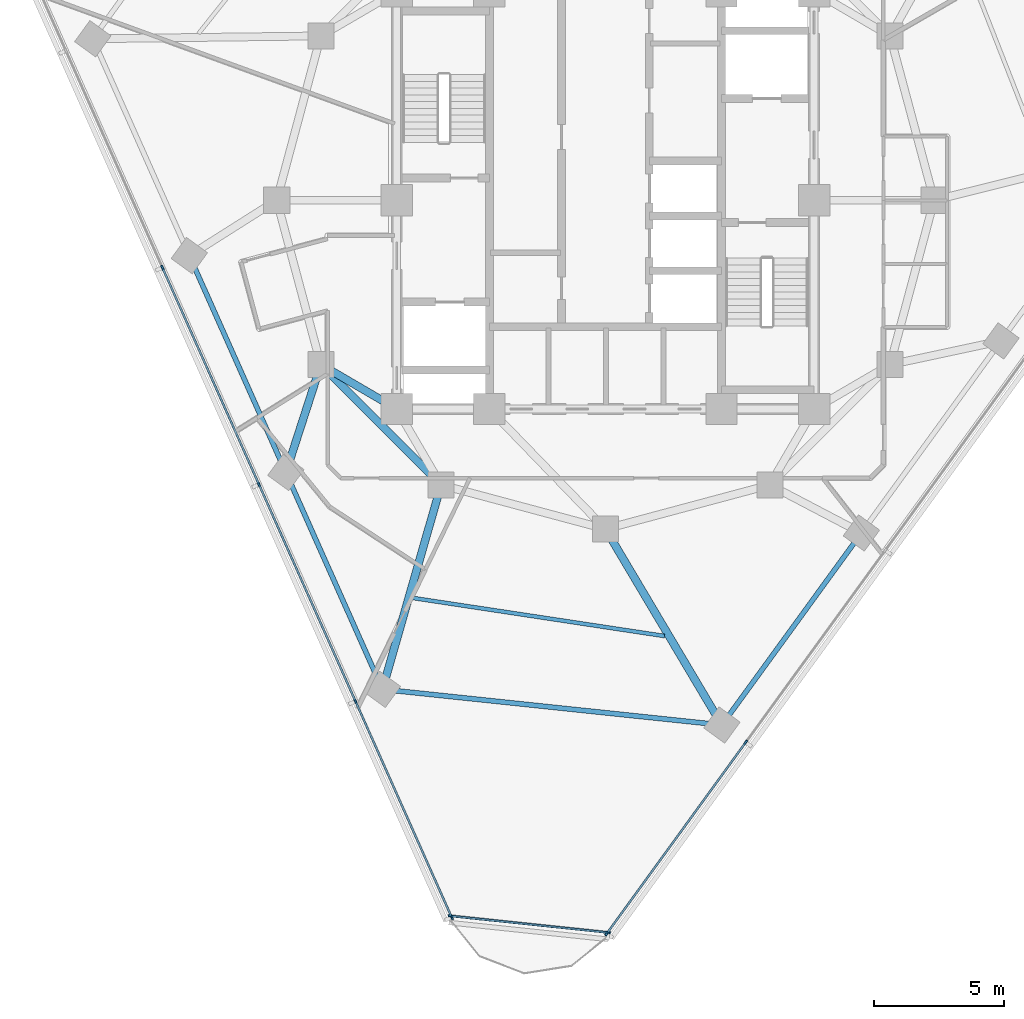
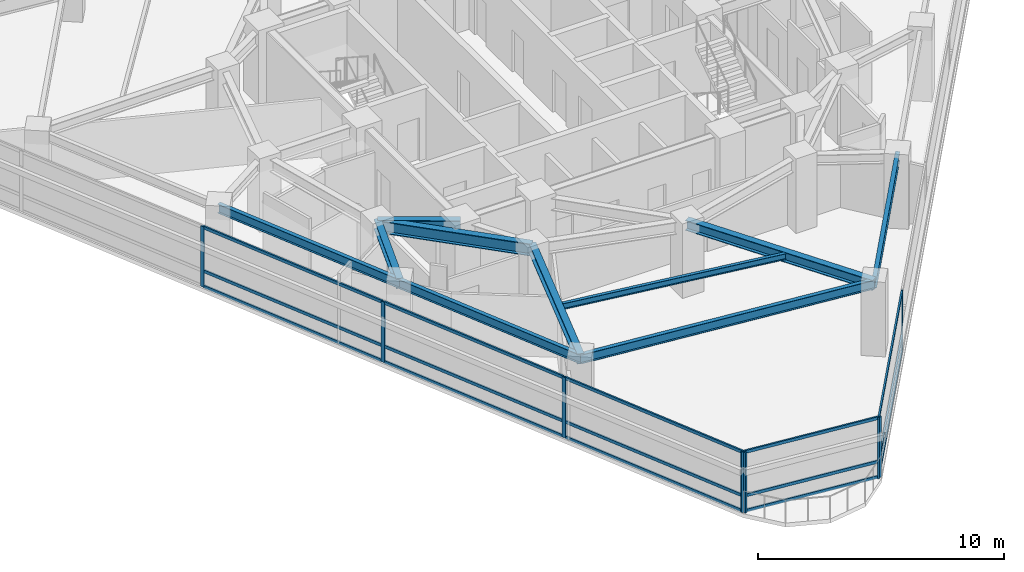
# One storey, part 2 of 14: 23 members, 10 beams, 3 elements without a shape of their own.
"""IFC4 building model written with IfcOpenShell, lengths in metres."""

from ifc_helpers import new_model, si_unit, direction, frame, origin, origin_2d, place, context, subcontext, project, spatial, rectangle, i_section, extrude, material, layer, layer_set, material_profile, profile_set, type_object, element, aggregate, save


model = new_model("IFC4")

# Units and contexts
model_context = context("Model", 3, precision=1e-05, world=origin(), true_north=direction((0.0, 1.0)))
body_context = subcontext(model_context, "Body", "Model", "MODEL_VIEW")
ifc_project = project(units=[si_unit("LENGTHUNIT", "METRE"), si_unit("AREAUNIT", "SQUARE_METRE"), si_unit("VOLUMEUNIT", "CUBIC_METRE"), si_unit("PLANEANGLEUNIT", "RADIAN"), si_unit("MASSUNIT", "GRAM", prefix="KILO")], contexts=[model_context])

# Site, building, storey
site_placement = place(None, origin())
site = spatial("IfcSite", under=ifc_project, at=site_placement, CompositionType="ELEMENT")
building_placement = place(site_placement, origin())
building = spatial("IfcBuilding", under=site, at=building_placement, Name="Terralouvre Media Tower", CompositionType="ELEMENT")
storey_placement = place(building_placement, frame((0.0, 0.0, 241.10009765625)))
storey = spatial("IfcBuildingStorey", under=building, at=storey_placement, Name="L62", CompositionType="ELEMENT", Elevation=241.10009765625)

# Beam
ifc_material_1 = material(Name="Structural steel S355J2", Category="steel")
ifc_material_profile_1 = material_profile(ifc_material_1, i_section(OverallWidth=0.14990234375, OverallDepth=0.300048828125, WebThickness=0.007080078125, FlangeThickness=0.0107421875, at=origin_2d()), Name="IPE 300")
ifc_profile_set_1 = profile_set([ifc_material_profile_1], Name="Structural steel S355J2")
beam_type_1 = type_object("IfcBeamType", Name="Composite Floor Joist J-IPE300 (IPE 300)", PredefinedType="JOIST", material=ifc_profile_set_1)
beam_1_placement = place(storey_placement, frame((-7.38818359375, -15.244140625, 3.349853515625), z_axis=(0.988745338641, -0.149608339726, 0.0), x_axis=(0.149608339726, 0.988745338641, 0.0)))
element("IfcBeam", 1, at=beam_1_placement, inside=storey, type_object=beam_type_1, Name="L62 Framing Beam JT-L62-01", PredefinedType="JOIST", context=body_context, shape_type="SweptSolid", body=[
    extrude(i_section(OverallWidth=0.14990234375, OverallDepth=0.300048828125, WebThickness=0.007080078125, FlangeThickness=0.0107421875, at=origin_2d()), origin(), (0.0, 0.0, 1.0), 9.763427734375),
])

# Curtain wall, members
ifc_material_2 = material(Name="Low-iron laminated double glazing with solar-control coating", Category="glass")
ifc_layer_1 = layer(ifc_material_2, 0.1650390625, Name="Upper Executive Tower Curtain Wall CW-05")
ifc_layer_set_1 = layer_set([ifc_layer_1], Name="Low-iron laminated double glazing with solar-control coating")
curtain_wall_type_1 = type_object("IfcCurtainWallType", Name="Upper Executive Tower Curtain Wall CW-05", PredefinedType="NOTDEFINED", material=ifc_layer_set_1)
curtain_wall_1_placement = place(storey_placement, origin())
curtain_wall_1 = element("IfcCurtainWall", 2, at=curtain_wall_1_placement, inside=storey, type_object=curtain_wall_type_1, Name="L62 Facade Curtain Wall F0", PredefinedType="NOTDEFINED")
ifc_material_3 = material(Name="Anodised extruded aluminium 6063-T6", Category="aluminium")
ifc_material_profile_2 = material_profile(ifc_material_3, rectangle(XDim=0.074951171875, YDim=0.14990234375, at=origin_2d()), Name="ALU 75x150")
ifc_profile_set_2 = profile_set([ifc_material_profile_2], Name="Anodised extruded aluminium 6063-T6")
member_type_1 = type_object("IfcMemberType", Name="Curtain-Wall Horizontal Transom TR-150", PredefinedType="USERDEFINED", material=ifc_profile_set_2)
member_1_placement = place(storey_placement, frame((0.072998046875, -28.0810546875, 0.037353515625), z_axis=(0.587774298355, 0.809024952763, 0.0), x_axis=(-0.809024952763, 0.587774298355, 0.0)))
member_1 = element("IfcMember", 3, at=member_1_placement, type_object=member_type_1, Name="CW-05 transom 1.1", ObjectType="TRANSOM", PredefinedType="USERDEFINED", context=body_context, shape_type="SweptSolid", body=[
    extrude(rectangle(XDim=0.074951171875, YDim=0.14990234375, at=origin_2d()), origin(), (0.0, 0.0, 1.0), 8.987548828125),
])
member_2_placement = place(storey_placement, frame((0.072998046875, -28.0810546875, 0.7998046875), z_axis=(0.587774298355, 0.809024952763, 0.0), x_axis=(-0.809024952763, 0.587774298355, 0.0)))
member_2 = element("IfcMember", 4, at=member_2_placement, type_object=member_type_1, Name="CW-05 transom 1.2", ObjectType="TRANSOM", PredefinedType="USERDEFINED", context=body_context, shape_type="SweptSolid", body=[
    extrude(rectangle(XDim=0.074951171875, YDim=0.14990234375, at=origin_2d()), origin(), (0.0, 0.0, 1.0), 8.987548828125),
])
member_3_placement = place(storey_placement, frame((0.072998046875, -28.0810546875, 2.96240234375), z_axis=(0.587774298355, 0.809024952763, 0.0), x_axis=(-0.809024952763, 0.587774298355, 0.0)))
member_3 = element("IfcMember", 5, at=member_3_placement, type_object=member_type_1, Name="CW-05 transom 1.3", ObjectType="TRANSOM", PredefinedType="USERDEFINED", context=body_context, shape_type="SweptSolid", body=[
    extrude(rectangle(XDim=0.074951171875, YDim=0.14990234375, at=origin_2d()), origin(), (0.0, 0.0, 1.0), 8.987548828125),
])

curtain_wall_2_placement = place(storey_placement, origin())
curtain_wall_2 = element("IfcCurtainWall", 6, at=curtain_wall_2_placement, inside=storey, type_object=curtain_wall_type_1, Name="L62 Facade Curtain Wall F2", PredefinedType="NOTDEFINED")
member_4_placement = place(storey_placement, frame((-16.968017578125, -2.614990234375, 0.037353515625), z_axis=(0.406740753437, -0.913543627581, 0.0), x_axis=(0.913543627581, 0.406740753437, 0.0)))
member_4 = element("IfcMember", 7, at=member_4_placement, type_object=member_type_1, Name="CW-05 transom 3.1", ObjectType="TRANSOM", PredefinedType="USERDEFINED", context=body_context, shape_type="SweptSolid", body=[
    extrude(rectangle(XDim=0.074951171875, YDim=0.14990234375, at=origin_2d()), origin(), (0.0, 0.0, 1.0), 9.025146484375),
])
member_5_placement = place(storey_placement, frame((-16.968017578125, -2.614990234375, 0.7998046875), z_axis=(0.406740753437, -0.913543627581, 0.0), x_axis=(0.913543627581, 0.406740753437, 0.0)))
member_5 = element("IfcMember", 8, at=member_5_placement, type_object=member_type_1, Name="CW-05 transom 3.2", ObjectType="TRANSOM", PredefinedType="USERDEFINED", context=body_context, shape_type="SweptSolid", body=[
    extrude(rectangle(XDim=0.074951171875, YDim=0.14990234375, at=origin_2d()), origin(), (0.0, 0.0, 1.0), 9.025146484375),
])
member_6_placement = place(storey_placement, frame((-16.968017578125, -2.614990234375, 2.96240234375), z_axis=(0.406740753437, -0.913543627581, 0.0), x_axis=(0.913543627581, 0.406740753437, 0.0)))
member_6 = element("IfcMember", 9, at=member_6_placement, type_object=member_type_1, Name="CW-05 transom 3.3", ObjectType="TRANSOM", PredefinedType="USERDEFINED", context=body_context, shape_type="SweptSolid", body=[
    extrude(rectangle(XDim=0.074951171875, YDim=0.14990234375, at=origin_2d()), origin(), (0.0, 0.0, 1.0), 9.025146484375),
])
member_7_placement = place(storey_placement, frame((-13.2666015625, -10.928466796875, 0.037353515625), z_axis=(0.406728228643, -0.913549203943, 0.0), x_axis=(0.913549203943, 0.406728228643, 0.0)))
member_7 = element("IfcMember", 10, at=member_7_placement, type_object=member_type_1, Name="CW-05 transom 4.1", ObjectType="TRANSOM", PredefinedType="USERDEFINED", context=body_context, shape_type="SweptSolid", body=[
    extrude(rectangle(XDim=0.074951171875, YDim=0.14990234375, at=origin_2d()), origin(), (0.0, 0.0, 1.0), 9.02490234375),
])
member_8_placement = place(storey_placement, frame((-13.2666015625, -10.928466796875, 0.7998046875), z_axis=(0.406728228643, -0.913549203943, 0.0), x_axis=(0.913549203943, 0.406728228643, 0.0)))
member_8 = element("IfcMember", 11, at=member_8_placement, type_object=member_type_1, Name="CW-05 transom 4.2", ObjectType="TRANSOM", PredefinedType="USERDEFINED", context=body_context, shape_type="SweptSolid", body=[
    extrude(rectangle(XDim=0.074951171875, YDim=0.14990234375, at=origin_2d()), origin(), (0.0, 0.0, 1.0), 9.02490234375),
])
member_9_placement = place(storey_placement, frame((-13.2666015625, -10.928466796875, 2.96240234375), z_axis=(0.406728228643, -0.913549203943, 0.0), x_axis=(0.913549203943, 0.406728228643, 0.0)))
member_9 = element("IfcMember", 12, at=member_9_placement, type_object=member_type_1, Name="CW-05 transom 4.3", ObjectType="TRANSOM", PredefinedType="USERDEFINED", context=body_context, shape_type="SweptSolid", body=[
    extrude(rectangle(XDim=0.074951171875, YDim=0.14990234375, at=origin_2d()), origin(), (0.0, 0.0, 1.0), 9.02490234375),
])
member_10_placement = place(storey_placement, frame((-9.5654296875, -19.24169921875, 0.037353515625), z_axis=(0.406735720677, -0.913545868321, 0.0), x_axis=(0.913545868321, 0.406735720677, 0.0)))
member_10 = element("IfcMember", 13, at=member_10_placement, type_object=member_type_1, Name="CW-05 transom 5.1", ObjectType="TRANSOM", PredefinedType="USERDEFINED", context=body_context, shape_type="SweptSolid", body=[
    extrude(rectangle(XDim=0.074951171875, YDim=0.14990234375, at=origin_2d()), origin(), (0.0, 0.0, 1.0), 8.987548828125),
])
member_11_placement = place(storey_placement, frame((-9.5654296875, -19.24169921875, 0.7998046875), z_axis=(0.406735720677, -0.913545868321, 0.0), x_axis=(0.913545868321, 0.406735720677, 0.0)))
member_11 = element("IfcMember", 14, at=member_11_placement, type_object=member_type_1, Name="CW-05 transom 5.2", ObjectType="TRANSOM", PredefinedType="USERDEFINED", context=body_context, shape_type="SweptSolid", body=[
    extrude(rectangle(XDim=0.074951171875, YDim=0.14990234375, at=origin_2d()), origin(), (0.0, 0.0, 1.0), 8.987548828125),
])
member_12_placement = place(storey_placement, frame((-9.5654296875, -19.24169921875, 2.96240234375), z_axis=(0.406735720677, -0.913545868321, 0.0), x_axis=(0.913545868321, 0.406735720677, 0.0)))
member_12 = element("IfcMember", 15, at=member_12_placement, type_object=member_type_1, Name="CW-05 transom 5.3", ObjectType="TRANSOM", PredefinedType="USERDEFINED", context=body_context, shape_type="SweptSolid", body=[
    extrude(rectangle(XDim=0.074951171875, YDim=0.14990234375, at=origin_2d()), origin(), (0.0, 0.0, 1.0), 8.987548828125),
])

ifc_material_4 = material(Name="Low-iron laminated double glazing with solar-control coating", Category="glass")
ifc_layer_2 = layer(ifc_material_4, 0.1650390625, Name="Rounded Wind-Corner Curved Glazing CW-04")
ifc_layer_set_2 = layer_set([ifc_layer_2], Name="Low-iron laminated double glazing with solar-control coating")
curtain_wall_type_2 = type_object("IfcCurtainWallType", Name="Rounded Wind-Corner Curved Glazing CW-04", PredefinedType="NOTDEFINED", material=ifc_layer_set_2)
curtain_wall_3_placement = place(storey_placement, origin())
curtain_wall_3 = element("IfcCurtainWall", 16, at=curtain_wall_3_placement, inside=storey, type_object=curtain_wall_type_2, Name="L62 Rounded Wind-Corner Curtain Wall C0", PredefinedType="NOTDEFINED")
member_13_placement = place(storey_placement, frame((-5.899658203125, -27.43798828125, 0.037353515625), z_axis=(0.994519048003, -0.104555550594, 0.0), x_axis=(0.104555550594, 0.994519048003, 0.0)))
member_13 = element("IfcMember", 17, at=member_13_placement, type_object=member_type_1, Name="CW-04 transom 1.1", ObjectType="TRANSOM", PredefinedType="USERDEFINED", context=body_context, shape_type="SweptSolid", body=[
    extrude(rectangle(XDim=0.074951171875, YDim=0.14990234375, at=origin_2d()), origin(), (0.0, 0.0, 1.0), 5.998779296875),
])
member_14_placement = place(storey_placement, frame((-5.899658203125, -27.43798828125, 0.7998046875), z_axis=(0.994519048003, -0.104555550594, 0.0), x_axis=(0.104555550594, 0.994519048003, 0.0)))
member_14 = element("IfcMember", 18, at=member_14_placement, type_object=member_type_1, Name="CW-04 transom 1.2", ObjectType="TRANSOM", PredefinedType="USERDEFINED", context=body_context, shape_type="SweptSolid", body=[
    extrude(rectangle(XDim=0.074951171875, YDim=0.14990234375, at=origin_2d()), origin(), (0.0, 0.0, 1.0), 5.998779296875),
])
member_15_placement = place(storey_placement, frame((-5.899658203125, -27.43798828125, 2.96240234375), z_axis=(0.994519048003, -0.104555550594, 0.0), x_axis=(0.104555550594, 0.994519048003, 0.0)))
member_15 = element("IfcMember", 19, at=member_15_placement, type_object=member_type_1, Name="CW-04 transom 1.3", ObjectType="TRANSOM", PredefinedType="USERDEFINED", context=body_context, shape_type="SweptSolid", body=[
    extrude(rectangle(XDim=0.074951171875, YDim=0.14990234375, at=origin_2d()), origin(), (0.0, 0.0, 1.0), 5.998779296875),
])

# Member
ifc_material_5 = material(Name="Anodised extruded aluminium 6063-T6", Category="aluminium")
ifc_material_profile_3 = material_profile(ifc_material_5, rectangle(XDim=0.074951171875, YDim=0.179931640625, at=origin_2d()), Name="ALU 75x180")
ifc_profile_set_3 = profile_set([ifc_material_profile_3], Name="Anodised extruded aluminium 6063-T6")
member_type_2 = type_object("IfcMemberType", Name="Curtain-Wall Vertical Mullion ML-180", PredefinedType="MULLION", material=ifc_profile_set_3)
member_16_placement = place(storey_placement, frame((0.051025390625, -28.111328125, 0.0), z_axis=(0.0, 0.0, 1.0), x_axis=(-0.809016959074, 0.587785300879, 0.0)))
member_16 = element("IfcMember", 20, at=member_16_placement, type_object=member_type_2, Name="CW-05 mullion 1", PredefinedType="MULLION", context=body_context, shape_type="SweptSolid", body=[
    extrude(rectangle(XDim=0.074951171875, YDim=0.179931640625, at=origin_2d()), origin(), (0.0, 0.0, 1.0), 3.0),
])

member_17_placement = place(storey_placement, frame((5.3779296875, -20.779541015625, 0.0), z_axis=(0.0, 0.0, 1.0), x_axis=(-0.809016959074, 0.587785300879, 0.0)))
member_17 = element("IfcMember", 21, at=member_17_placement, type_object=member_type_2, Name="CW-05 mullion 2", PredefinedType="MULLION", context=body_context, shape_type="SweptSolid", body=[
    extrude(rectangle(XDim=0.074951171875, YDim=0.179931640625, at=origin_2d()), origin(), (0.0, 0.0, 1.0), 3.0),
])

aggregate(curtain_wall_1, [member_16, member_17, member_1, member_2, member_3])

member_18_placement = place(storey_placement, frame((-16.983154296875, -2.580810546875, 0.0), z_axis=(0.0, 0.0, 1.0), x_axis=(0.913545441365, 0.406736679636, 0.0)))
member_18 = element("IfcMember", 22, at=member_18_placement, type_object=member_type_2, Name="CW-05 mullion 3", PredefinedType="MULLION", context=body_context, shape_type="SweptSolid", body=[
    extrude(rectangle(XDim=0.074951171875, YDim=0.179931640625, at=origin_2d()), origin(), (0.0, 0.0, 1.0), 3.0),
])

member_19_placement = place(storey_placement, frame((-13.281982421875, -10.89404296875, 0.0), z_axis=(0.0, 0.0, 1.0), x_axis=(0.913545441365, 0.406736679636, 0.0)))
member_19 = element("IfcMember", 23, at=member_19_placement, type_object=member_type_2, Name="CW-05 mullion 4", PredefinedType="MULLION", context=body_context, shape_type="SweptSolid", body=[
    extrude(rectangle(XDim=0.074951171875, YDim=0.179931640625, at=origin_2d()), origin(), (0.0, 0.0, 1.0), 3.0),
])

member_20_placement = place(storey_placement, frame((-9.58056640625, -19.207275390625, 0.0), z_axis=(0.0, 0.0, 1.0), x_axis=(0.913545441365, 0.406736679636, 0.0)))
member_20 = element("IfcMember", 24, at=member_20_placement, type_object=member_type_2, Name="CW-05 mullion 5", PredefinedType="MULLION", context=body_context, shape_type="SweptSolid", body=[
    extrude(rectangle(XDim=0.074951171875, YDim=0.179931640625, at=origin_2d()), origin(), (0.0, 0.0, 1.0), 3.0),
])

member_21_placement = place(storey_placement, frame((-5.89453125, -27.486328125, 0.0), z_axis=(0.0, 0.0, 1.0), x_axis=(0.913545441365, 0.406736679636, 0.0)))
member_21 = element("IfcMember", 25, at=member_21_placement, type_object=member_type_2, Name="CW-05 mullion 6", PredefinedType="MULLION", context=body_context, shape_type="SweptSolid", body=[
    extrude(rectangle(XDim=0.074951171875, YDim=0.179931640625, at=origin_2d()), origin(), (0.0, 0.0, 1.0), 3.0),
])

aggregate(curtain_wall_2, [member_18, member_19, member_20, member_21, member_4, member_5, member_6, member_7, member_8, member_9, member_10, member_11, member_12])

member_22_placement = place(storey_placement, frame((-5.93701171875, -27.43408203125, 0.0), z_axis=(0.0, 0.0, 1.0), x_axis=(0.104527995322, 0.994521944551, 0.0)))
member_22 = element("IfcMember", 26, at=member_22_placement, type_object=member_type_2, Name="CW-04 mullion 1", PredefinedType="MULLION", context=body_context, shape_type="SweptSolid", body=[
    extrude(rectangle(XDim=0.074951171875, YDim=0.179931640625, at=origin_2d()), origin(), (0.0, 0.0, 1.0), 3.0),
])

member_23_placement = place(storey_placement, frame((0.103515625, -28.069091796875, 0.0), z_axis=(0.0, 0.0, 1.0), x_axis=(0.104527995322, 0.994521944551, 0.0)))
member_23 = element("IfcMember", 27, at=member_23_placement, type_object=member_type_2, Name="CW-04 mullion 2", PredefinedType="MULLION", context=body_context, shape_type="SweptSolid", body=[
    extrude(rectangle(XDim=0.074951171875, YDim=0.179931640625, at=origin_2d()), origin(), (0.0, 0.0, 1.0), 3.0),
])

aggregate(curtain_wall_3, [member_22, member_23, member_13, member_14, member_15])

# Beams
ifc_material_6 = material(Name="Structural steel S355J2", Category="steel")
ifc_material_profile_4 = material_profile(ifc_material_6, i_section(OverallWidth=0.18994140625, OverallDepth=0.449951171875, WebThickness=0.009521484375, FlangeThickness=0.0146484375, at=origin_2d()), Name="IPE 450")
ifc_profile_set_4 = profile_set([ifc_material_profile_4], Name="Structural steel S355J2")
beam_type_2 = type_object("IfcBeamType", Name="Perimeter Spandrel Beam SPB-450 (IPE 450)", PredefinedType="SPANDREL", material=ifc_profile_set_4)
beam_2_placement = place(storey_placement, frame((-15.950927734375, -2.121337890625, 3.27490234375), z_axis=(0.406725851667, -0.913550262211, 0.0), x_axis=(0.913550262211, 0.406725851667, 0.0)))
element("IfcBeam", 28, at=beam_2_placement, inside=storey, type_object=beam_type_2, Name="L62 Framing Beam BM-L62-PR01", PredefinedType="SPANDREL", context=body_context, shape_type="SweptSolid", body=[
    extrude(i_section(OverallWidth=0.18994140625, OverallDepth=0.449951171875, WebThickness=0.009521484375, FlangeThickness=0.0146484375, at=origin_2d()), origin(), (0.0, 0.0, 1.0), 9.099853515625),
])
beam_3_placement = place(storey_placement, frame((-12.249755859375, -10.4345703125, 3.27490234375), z_axis=(0.40674824199, -0.913540293385, 0.0), x_axis=(0.913540293385, 0.40674824199, 0.0)))
element("IfcBeam", 29, at=beam_3_placement, inside=storey, type_object=beam_type_2, Name="L62 Framing Beam BM-L62-PR02", PredefinedType="SPANDREL", context=body_context, shape_type="SweptSolid", body=[
    extrude(i_section(OverallWidth=0.18994140625, OverallDepth=0.449951171875, WebThickness=0.009521484375, FlangeThickness=0.0146484375, at=origin_2d()), origin(), (0.0, 0.0, 1.0), 9.10009765625),
])
beam_4_placement = place(storey_placement, frame((-8.54833984375, -18.747802734375, 3.27490234375), z_axis=(0.994521391833, -0.104533253974, 0.0), x_axis=(0.104533253974, 0.994521391833, 0.0)))
element("IfcBeam", 30, at=beam_4_placement, inside=storey, type_object=beam_type_2, Name="L62 Framing Beam BM-L62-PR03", PredefinedType="SPANDREL", context=body_context, shape_type="SweptSolid", body=[
    extrude(i_section(OverallWidth=0.18994140625, OverallDepth=0.449951171875, WebThickness=0.009521484375, FlangeThickness=0.0146484375, at=origin_2d()), origin(), (0.0, 0.0, 1.0), 13.083740234375),
])
beam_5_placement = place(storey_placement, frame((4.463623046875, -20.115478515625, 3.27490234375), z_axis=(0.587787185033, 0.809015590153, 0.0), x_axis=(-0.809015590153, 0.587787185033, 0.0)))
element("IfcBeam", 31, at=beam_5_placement, inside=storey, type_object=beam_type_2, Name="L62 Framing Beam BM-L62-PR04", PredefinedType="SPANDREL", context=body_context, shape_type="SweptSolid", body=[
    extrude(i_section(OverallWidth=0.18994140625, OverallDepth=0.449951171875, WebThickness=0.009521484375, FlangeThickness=0.0146484375, at=origin_2d()), origin(), (0.0, 0.0, 1.0), 9.10009765625),
])
ifc_material_7 = material(Name="Structural steel S355J2", Category="steel")
ifc_material_profile_5 = material_profile(ifc_material_7, i_section(OverallWidth=0.300048828125, OverallDepth=0.5, WebThickness=0.014404296875, FlangeThickness=0.028076171875, at=origin_2d()), Name="HEB 500")
ifc_profile_set_5 = profile_set([ifc_material_profile_5], Name="Structural steel S355J2")
beam_type_3 = type_object("IfcBeamType", Name="Primary Floor Girder B-HEB500 (HEB 500)", PredefinedType="BEAM", material=ifc_profile_set_5)
beam_6_placement = place(storey_placement, frame((-10.911865234375, -6.300048828125, 3.25), z_axis=(-0.307872638555, -0.951427579183, 0.0), x_axis=(0.951427579183, -0.307872638555, 0.0)))
element("IfcBeam", 32, at=beam_6_placement, inside=storey, type_object=beam_type_3, Name="L62 Framing Beam BM-L62-RD02", PredefinedType="BEAM", context=body_context, shape_type="SweptSolid", body=[
    extrude(i_section(OverallWidth=0.300048828125, OverallDepth=0.5, WebThickness=0.014404296875, FlangeThickness=0.028076171875, at=origin_2d()), origin(), (0.0, 0.0, 1.0), 4.345703125),
])
beam_7_placement = place(storey_placement, frame((-6.300048828125, -10.911865234375, 3.25), z_axis=(-0.275792876342, -0.96121708753, 0.0), x_axis=(0.96121708753, -0.275792876342, 0.0)))
element("IfcBeam", 33, at=beam_7_placement, inside=storey, type_object=beam_type_3, Name="L62 Framing Beam BM-L62-RD03", PredefinedType="BEAM", context=body_context, shape_type="SweptSolid", body=[
    extrude(i_section(OverallWidth=0.300048828125, OverallDepth=0.5, WebThickness=0.014404296875, FlangeThickness=0.028076171875, at=origin_2d()), origin(), (0.0, 0.0, 1.0), 8.152099609375),
])
beam_8_placement = place(storey_placement, frame((0.0, -12.60009765625, 3.25), z_axis=(0.510654263047, -0.859786149942, 0.0), x_axis=(0.859786149942, 0.510654263047, 0.0)))
element("IfcBeam", 34, at=beam_8_placement, inside=storey, type_object=beam_type_3, Name="L62 Framing Beam BM-L62-RD04", PredefinedType="BEAM", context=body_context, shape_type="SweptSolid", body=[
    extrude(i_section(OverallWidth=0.300048828125, OverallDepth=0.5, WebThickness=0.014404296875, FlangeThickness=0.028076171875, at=origin_2d()), origin(), (0.0, 0.0, 1.0), 8.740966796875),
])
ifc_material_8 = material(Name="Structural steel S460M", Category="steel")
ifc_material_profile_6 = material_profile(ifc_material_8, i_section(OverallWidth=0.300048828125, OverallDepth=0.60009765625, WebThickness=0.015380859375, FlangeThickness=0.030029296875, at=origin_2d()), Name="HEB 600")
ifc_profile_set_6 = profile_set([ifc_material_profile_6], Name="Structural steel S460M")
beam_type_4 = type_object("IfcBeamType", Name="Primary Floor Girder B-HEB600 (HEB 600)", PredefinedType="BEAM", material=ifc_profile_set_6)
beam_9_placement = place(storey_placement, frame((-10.911865234375, -6.300048828125, 3.199951171875), z_axis=(0.707106781187, -0.707106781187, 0.0), x_axis=(0.707106781187, 0.707106781187, 0.0)))
element("IfcBeam", 35, at=beam_9_placement, inside=storey, type_object=beam_type_4, Name="L62 Framing Beam BM-L62-MR01", PredefinedType="BEAM", context=body_context, shape_type="SweptSolid", body=[
    extrude(i_section(OverallWidth=0.300048828125, OverallDepth=0.60009765625, WebThickness=0.015380859375, FlangeThickness=0.030029296875, at=origin_2d()), origin(), (0.0, 0.0, 1.0), 6.52197265625),
])
beam_10_placement = place(storey_placement, frame((-8.0, -8.0, 3.199951171875), z_axis=(-0.863602894532, 0.504172629717, 0.0), x_axis=(-0.504172629717, -0.863602894532, 0.0)))
element("IfcBeam", 36, at=beam_10_placement, inside=storey, type_object=beam_type_4, Name="L62 Framing Beam BM-L62-CM01", PredefinedType="BEAM", context=body_context, shape_type="SweptSolid", body=[
    extrude(i_section(OverallWidth=0.300048828125, OverallDepth=0.60009765625, WebThickness=0.015380859375, FlangeThickness=0.030029296875, at=origin_2d()), origin(), (0.0, 0.0, 1.0), 3.371826171875),
])

save(model, "model.ifc")
